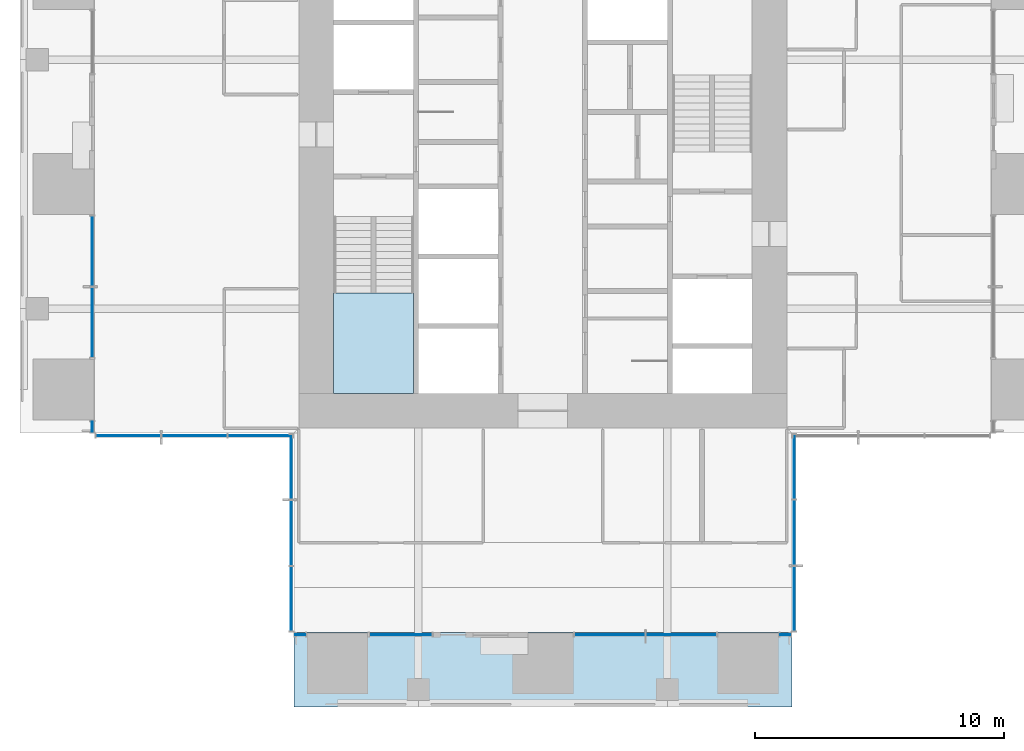
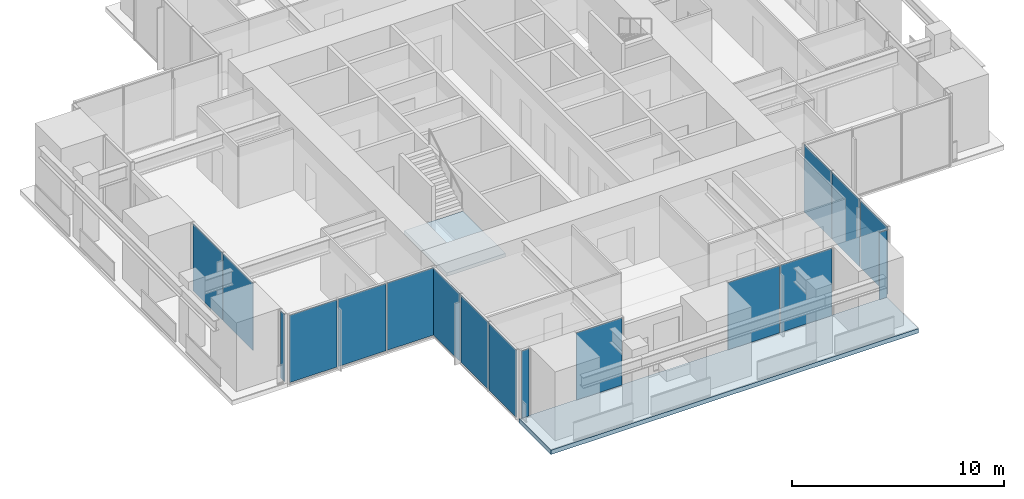
# One storey, part 7 of 17: 17 plates, 2 slabs, 10 elements without a shape of their own.
"""IFC4 building model written with IfcOpenShell, lengths in metres."""

import ifcopenshell
import ifcopenshell.guid

model = None  # the IFC model being written
_history = None  # IfcOwnerHistory: only IFC2X3 demands one
_inside = {}  # id of a spatial element -> (the spatial element, [elements in it])
_under = {}  # id of a project, library or spatial element -> (it, [spatial elements below it])
_declared = {}  # id of a project -> (the project, [libraries it declares])
_typed = {}  # id of a type object -> (the type object, [elements of that type])
_made_of = {}  # id of a material, layer set ... -> (it, [elements and type objects made of it])


def new_model(schema):
    """Start an empty IFC model of exactly this schema.

    Asked for "IFC4X3", IfcOpenShell would pick the latest addendum, in which some entities
    have other attributes; the version numbers below select the first issue.
    IFC2X3 requires an IfcOwnerHistory on every rooted entity: one is made here for all.
    """
    global model, _history
    if schema == "IFC4X3":
        model = ifcopenshell.file(schema_version=(4, 3, 0, 0))
    else:
        model = ifcopenshell.file(schema=schema)
    _inside.clear()
    _under.clear()
    _declared.clear()
    _typed.clear()
    _made_of.clear()
    _history = None
    if model.schema == "IFC2X3":
        org = make("IfcOrganization", Name="unknown")
        user = make(
            "IfcPersonAndOrganization",
            ThePerson=make("IfcPerson", FamilyName="unknown"),
            TheOrganization=org,
        )
        app = make(
            "IfcApplication",
            ApplicationDeveloper=org,
            Version="unknown",
            ApplicationFullName="unknown",
            ApplicationIdentifier="unknown",
        )
        _history = make(
            "IfcOwnerHistory",
            OwningUser=user,
            OwningApplication=app,
            ChangeAction="ADDED",
            CreationDate=0,
        )
    return model


def make(cls, **values):
    """One entity of the class cls with the attributes given. An attribute that is None is left unset."""
    return model.create_entity(
        cls, **{name: value for name, value in values.items() if value is not None}
    )


def rooted(cls, **values):
    """An entity with a GlobalId (a new one), such as an element, a storey or a relation."""
    return make(cls, GlobalId=ifcopenshell.guid.new(), OwnerHistory=_history, **values)


def si_unit(unit_type, name, prefix=None):
    """IfcSIUnit, for example si_unit("LENGTHUNIT", "METRE", prefix="MILLI")."""
    return make("IfcSIUnit", UnitType=unit_type, Prefix=prefix, Name=name)


def assignment(units):
    """IfcUnitAssignment: the units of a project."""
    return None if units is None else make("IfcUnitAssignment", Units=units)


def point(xyz):
    """IfcCartesianPoint."""
    return None if xyz is None else make("IfcCartesianPoint", Coordinates=xyz)


def direction(xyz):
    """IfcDirection."""
    return None if xyz is None else make("IfcDirection", DirectionRatios=xyz)


def frame(location, z_axis=None, x_axis=None):
    """IfcAxis2Placement3D, a coordinate frame: its origin and axes. An axis left out is left unset."""
    return make(
        "IfcAxis2Placement3D",
        Location=point(location),
        Axis=direction(z_axis),
        RefDirection=direction(x_axis),
    )


def frame_2d(location, x_axis=None):
    """IfcAxis2Placement2D, a coordinate frame in the plane: its origin and x axis."""
    return make(
        "IfcAxis2Placement2D", Location=point(location), RefDirection=direction(x_axis)
    )


def origin():
    """The frame at (0, 0, 0) with its axes left unset."""
    return frame((0.0, 0.0, 0.0))


def origin_2d():
    """The frame at (0, 0) in the plane with its x axis left unset."""
    return frame_2d((0.0, 0.0))


def place(relative_to, where):
    """IfcLocalPlacement: puts the frame where relative to a parent placement (None: the world)."""
    return make(
        "IfcLocalPlacement", PlacementRelTo=relative_to, RelativePlacement=where
    )


def context(
    kind, dimensions, precision=None, world=None, true_north=None, identifier=None
):
    """IfcGeometricRepresentationContext, for example the 3D "Model" context."""
    return make(
        "IfcGeometricRepresentationContext",
        ContextIdentifier=identifier,
        ContextType=kind,
        CoordinateSpaceDimension=dimensions,
        Precision=precision,
        WorldCoordinateSystem=world,
        TrueNorth=true_north,
    )


def subcontext(parent, identifier, kind, view, scale=None):
    """IfcGeometricRepresentationSubContext, for example "Body" below "Model"."""
    return make(
        "IfcGeometricRepresentationSubContext",
        ContextIdentifier=identifier,
        ContextType=kind,
        ParentContext=parent,
        TargetScale=scale,
        TargetView=view,
    )


def project(units=None, contexts=None):
    """IfcProject with its units and contexts."""
    return rooted(
        "IfcProject",
        Name="project",
        RepresentationContexts=contexts,
        UnitsInContext=assignment(units),
    )


def spatial(cls, under=None, at=None, **own):
    """A site, building, storey or space (cls), placed at a placement, below another one or the project."""
    s = rooted(cls, ObjectPlacement=at, **own)
    if under is not None:
        _under.setdefault(under.id(), (under, []))[1].append(s)
    return s


def polyline(points):
    """IfcPolyline through the points."""
    return make("IfcPolyline", Points=[point(p) for p in points])


def profile(cls, at=None, kind="AREA", **sizes):
    """A parametric profile (cls). Its sizes go by their IFC names, for example OverallWidth=200.0."""
    return make(cls, ProfileType=kind, Position=at, **sizes)


def rectangle(**sizes):
    """IfcRectangleProfileDef."""
    return profile("IfcRectangleProfileDef", **sizes)


def outline(outer, holes=None, kind="AREA"):
    """IfcArbitraryClosedProfileDef: a profile drawn as a closed curve; with holes, ...WithVoids."""
    if holes is None:
        return make("IfcArbitraryClosedProfileDef", ProfileType=kind, OuterCurve=outer)
    return make(
        "IfcArbitraryProfileDefWithVoids",
        ProfileType=kind,
        OuterCurve=outer,
        InnerCurves=holes,
    )


def extrude(swept, where, along, depth):
    """IfcExtrudedAreaSolid: the profile swept, set in the frame where, extruded along a direction by depth."""
    return make(
        "IfcExtrudedAreaSolid",
        SweptArea=swept,
        Position=where,
        ExtrudedDirection=direction(along),
        Depth=depth,
    )


def shape(context_of_items, identifier, shape_type, items):
    """IfcShapeRepresentation: the items that make up one representation, for example the "Body"."""
    return make(
        "IfcShapeRepresentation",
        ContextOfItems=context_of_items,
        RepresentationIdentifier=identifier,
        RepresentationType=shape_type,
        Items=items,
    )


def material(Name=None, Category=None):
    """IfcMaterial."""
    return make("IfcMaterial", Name=Name, Category=Category)


def layer(
    of_material, thickness, ventilated=None, Name=None, Category=None, Priority=None
):
    """IfcMaterialLayer: one layer of a wall or slab, of a material (None: an air gap)."""
    return make(
        "IfcMaterialLayer",
        Material=of_material,
        LayerThickness=thickness,
        IsVentilated=ventilated,
        Name=Name,
        Category=Category,
        Priority=Priority,
    )


def layer_set(layers, Name=None):
    """IfcMaterialLayerSet."""
    return make("IfcMaterialLayerSet", MaterialLayers=layers, LayerSetName=Name)


def made_of(thing, what):
    """Note that an element or type object is made of a material, layer set ...; save() writes the relation."""
    if what is not None:
        _made_of.setdefault(what.id(), (what, []))[1].append(thing)
    return thing


def type_object(cls, material=None, **own):
    """A type object (cls), such as IfcWallType, which elements share."""
    return made_of(rooted(cls, **own), material)


def element(
    cls,
    number,
    at=None,
    inside=None,
    cuts=None,
    type_object=None,
    material=None,
    context=None,
    identifier="Body",
    shape_type=None,
    held_by="IfcProductDefinitionShape",
    body=None,
    shapes=None,
    **own,
):
    """One element of the class cls, such as IfcWall. Its Tag is "e" and its number.

    at: its placement. inside: the storey or other place that contains it. cuts: it is an
    opening in that element (IfcRelVoidsElement). A single representation is given by context,
    identifier, shape_type and body (its items); several are given by shapes. held_by: the class
    of the entity that holds the representations. save() writes the other relations.
    """
    e = rooted(cls, Tag="e%d" % number, ObjectPlacement=at, **own)
    if body is not None:
        shapes = [shape(context, identifier, shape_type, body)]
    if shapes is not None:
        e.Representation = make(held_by, Representations=shapes)
    if inside is not None:
        _inside.setdefault(inside.id(), (inside, []))[1].append(e)
    if cuts is not None:
        rooted(
            "IfcRelVoidsElement", RelatingBuildingElement=cuts, RelatedOpeningElement=e
        )
    if type_object is not None:
        _typed.setdefault(type_object.id(), (type_object, []))[1].append(e)
    return made_of(e, material)


def aggregate(whole, parts):
    """IfcRelAggregates: a whole, such as a stair, and the parts it consists of."""
    return rooted("IfcRelAggregates", RelatingObject=whole, RelatedObjects=parts)


def save(model, path):
    """Write the relations noted so far, then the file.

    IfcRelAggregates (storeys below a building ...), IfcRelContainedInSpatialStructure (elements
    in a storey), IfcRelDefinesByType, IfcRelAssociatesMaterial and IfcRelDeclares: one each for
    every whole, place, type object, material and project.
    """
    for whole, parts in _under.values():
        aggregate(whole, parts)
    for where, things in _inside.values():
        rooted(
            "IfcRelContainedInSpatialStructure",
            RelatedElements=things,
            RelatingStructure=where,
        )
    for kind, things in _typed.values():
        rooted("IfcRelDefinesByType", RelatedObjects=things, RelatingType=kind)
    for what, things in _made_of.values():
        rooted("IfcRelAssociatesMaterial", RelatedObjects=things, RelatingMaterial=what)
    for by, libraries in _declared.values():
        rooted("IfcRelDeclares", RelatingContext=by, RelatedDefinitions=libraries)
    model.write(path)


model = new_model("IFC4")

# Units and contexts
model_context = context("Model", 3, precision=1e-05, world=origin(), true_north=direction((0.0, 1.0)))
body_context = subcontext(model_context, "Body", "Model", "MODEL_VIEW")
ifc_project = project(units=[si_unit("LENGTHUNIT", "METRE"), si_unit("AREAUNIT", "SQUARE_METRE"), si_unit("VOLUMEUNIT", "CUBIC_METRE"), si_unit("PLANEANGLEUNIT", "RADIAN"), si_unit("MASSUNIT", "GRAM", prefix="KILO")], contexts=[model_context])

# Site, building, storey
site_placement = place(None, origin())
site = spatial("IfcSite", under=ifc_project, at=site_placement, CompositionType="ELEMENT")
building_placement = place(site_placement, origin())
building = spatial("IfcBuilding", under=site, at=building_placement, Name="Svetlomir Tower", CompositionType="ELEMENT")
storey_placement = place(building_placement, frame((0.0, 0.0, 230.5)))
storey = spatial("IfcBuildingStorey", under=building, at=storey_placement, Name="L55", CompositionType="ELEMENT", Elevation=230.5)

# Curtain wall, plate
ifc_material_1 = material(Name="Bronze anodised aluminium curtain wall", Category="aluminium")
curtain_wall_type = type_object("IfcCurtainWallType", Name="CURTAIN WALL CW1 TOWER OFFICE", PredefinedType="NOTDEFINED", material=ifc_material_1)
curtain_wall_1_placement = place(storey_placement, origin())
curtain_wall_1 = element("IfcCurtainWall", 1, at=curtain_wall_1_placement, inside=storey, type_object=curtain_wall_type, Name="Curtain wall CW1 L55", PredefinedType="NOTDEFINED")
ifc_material_2 = material(Name="Tinted double glazed unit", Category="glass")
ifc_layer_1 = layer(ifc_material_2, 0.031982421875)
ifc_layer_set_1 = layer_set([ifc_layer_1], Name="Tinted double glazed unit")
plate_type = type_object("IfcPlateType", Name="CW1 GLAZED PANEL 32", PredefinedType="CURTAIN_PANEL", material=ifc_layer_set_1)
plate_1_placement = place(storey_placement, frame((11.262451171875, 2.89990234375, 0.06494140625), z_axis=(0.0, 0.0, 1.0), x_axis=(1.0, 0.0, 0.0)))
plate_1 = element("IfcPlate", 2, at=plate_1_placement, type_object=plate_type, Name="CW1 panel 1.1", PredefinedType="CURTAIN_PANEL", context=body_context, shape_type="SweptSolid", body=[
    extrude(rectangle(XDim=0.39501953125, YDim=0.031982421875, at=origin_2d()), origin(), (0.0, 0.0, 1.0), 3.8701171875),
])
aggregate(curtain_wall_1, [plate_1])

curtain_wall_2_placement = place(storey_placement, origin())
curtain_wall_2 = element("IfcCurtainWall", 3, at=curtain_wall_2_placement, inside=storey, type_object=curtain_wall_type, Name="Curtain wall CW1 L55", PredefinedType="NOTDEFINED")
plate_2_placement = place(storey_placement, frame((15.28759765625, 2.89990234375, 0.06494140625), z_axis=(0.0, 0.0, 1.0), x_axis=(1.0, 0.0, 0.0)))
plate_2 = element("IfcPlate", 4, at=plate_2_placement, type_object=plate_type, Name="CW1 panel 1.1", PredefinedType="CURTAIN_PANEL", context=body_context, shape_type="SweptSolid", body=[
    extrude(rectangle(XDim=2.4951171875, YDim=0.031982421875, at=origin_2d()), origin(), (0.0, 0.0, 1.0), 3.8701171875),
])
aggregate(curtain_wall_2, [plate_2])

# Curtain wall, plates
curtain_wall_3_placement = place(storey_placement, origin())
curtain_wall_3 = element("IfcCurtainWall", 5, at=curtain_wall_3_placement, inside=storey, type_object=curtain_wall_type, Name="Curtain wall CW1 L55", PredefinedType="NOTDEFINED")
plate_3_placement = place(storey_placement, frame((23.691162109375, 2.89990234375, 0.06494140625), z_axis=(0.0, 0.0, 1.0), x_axis=(1.0, 0.0, 0.0)))
plate_3 = element("IfcPlate", 6, at=plate_3_placement, type_object=plate_type, Name="CW1 panel 1.1", PredefinedType="CURTAIN_PANEL", context=body_context, shape_type="SweptSolid", body=[
    extrude(rectangle(XDim=2.802490234375, YDim=0.031982421875, at=origin_2d()), origin(), (0.0, 0.0, 1.0), 3.8701171875),
])
plate_4_placement = place(storey_placement, frame((26.558837890625, 2.89990234375, 0.06494140625), z_axis=(0.0, 0.0, 1.0), x_axis=(1.0, 0.0, 0.0)))
plate_4 = element("IfcPlate", 7, at=plate_4_placement, type_object=plate_type, Name="CW1 panel 2.1", PredefinedType="CURTAIN_PANEL", context=body_context, shape_type="SweptSolid", body=[
    extrude(rectangle(XDim=2.802490234375, YDim=0.031982421875, at=origin_2d()), origin(), (0.0, 0.0, 1.0), 3.8701171875),
])
aggregate(curtain_wall_3, [plate_3, plate_4])

# Curtain wall, plate
curtain_wall_4_placement = place(storey_placement, origin())
curtain_wall_4 = element("IfcCurtainWall", 8, at=curtain_wall_4_placement, inside=storey, type_object=curtain_wall_type, Name="Curtain wall CW1 L55", PredefinedType="NOTDEFINED")
plate_5_placement = place(storey_placement, frame((30.737548828125, 2.89990234375, 0.06494140625), z_axis=(0.0, 0.0, 1.0), x_axis=(1.0, 0.0, 0.0)))
plate_5 = element("IfcPlate", 9, at=plate_5_placement, type_object=plate_type, Name="CW1 panel 1.1", PredefinedType="CURTAIN_PANEL", context=body_context, shape_type="SweptSolid", body=[
    extrude(rectangle(XDim=0.39501953125, YDim=0.031982421875, at=origin_2d()), origin(), (0.0, 0.0, 1.0), 3.8701171875),
])
aggregate(curtain_wall_4, [plate_5])

# Curtain wall, plates
curtain_wall_5_placement = place(storey_placement, origin())
curtain_wall_5 = element("IfcCurtainWall", 10, at=curtain_wall_5_placement, inside=storey, type_object=curtain_wall_type, Name="Curtain wall CW1 L55", PredefinedType="NOTDEFINED")
plate_6_placement = place(storey_placement, frame((31.10009765625, 4.349609375, 0.06494140625), z_axis=(0.0, 0.0, 1.0), x_axis=(0.0, 1.0, 0.0)))
plate_6 = element("IfcPlate", 11, at=plate_6_placement, type_object=plate_type, Name="CW1 panel 1.1", PredefinedType="CURTAIN_PANEL", context=body_context, shape_type="SweptSolid", body=[
    extrude(rectangle(XDim=2.569091796875, YDim=0.031982421875, at=origin_2d()), origin(), (0.0, 0.0, 1.0), 3.8701171875),
])
plate_7_placement = place(storey_placement, frame((31.10009765625, 7.0, 0.06494140625), z_axis=(0.0, 0.0, 1.0), x_axis=(0.0, 1.0, 0.0)))
plate_7 = element("IfcPlate", 12, at=plate_7_placement, type_object=plate_type, Name="CW1 panel 2.1", PredefinedType="CURTAIN_PANEL", context=body_context, shape_type="SweptSolid", body=[
    extrude(rectangle(XDim=2.6015625, YDim=0.031982421875, at=origin_2d()), origin(), (0.0, 0.0, 1.0), 3.8701171875),
])
plate_8_placement = place(storey_placement, frame((31.10009765625, 9.650390625, 0.06494140625), z_axis=(0.0, 0.0, 1.0), x_axis=(0.0, 1.0, 0.0)))
plate_8 = element("IfcPlate", 13, at=plate_8_placement, type_object=plate_type, Name="CW1 panel 3.1", PredefinedType="CURTAIN_PANEL", context=body_context, shape_type="SweptSolid", body=[
    extrude(rectangle(XDim=2.569091796875, YDim=0.031982421875, at=origin_2d()), origin(), (0.0, 0.0, 1.0), 3.8701171875),
])
aggregate(curtain_wall_5, [plate_6, plate_7, plate_8])

curtain_wall_6_placement = place(storey_placement, origin())
curtain_wall_6 = element("IfcCurtainWall", 14, at=curtain_wall_6_placement, inside=storey, type_object=curtain_wall_type, Name="Curtain wall CW1 L55", PredefinedType="NOTDEFINED")
plate_9_placement = place(storey_placement, frame((2.89990234375, 18.308837890625, 0.06494140625), z_axis=(0.0, 0.0, 1.0), x_axis=(0.0, -1.0, 0.0)))
plate_9 = element("IfcPlate", 15, at=plate_9_placement, type_object=plate_type, Name="CW1 panel 1.1", PredefinedType="CURTAIN_PANEL", context=body_context, shape_type="SweptSolid", body=[
    extrude(rectangle(XDim=2.802490234375, YDim=0.031982421875, at=origin_2d()), origin(), (0.0, 0.0, 1.0), 3.8701171875),
])
plate_10_placement = place(storey_placement, frame((2.89990234375, 15.441162109375, 0.06494140625), z_axis=(0.0, 0.0, 1.0), x_axis=(0.0, -1.0, 0.0)))
plate_10 = element("IfcPlate", 16, at=plate_10_placement, type_object=plate_type, Name="CW1 panel 2.1", PredefinedType="CURTAIN_PANEL", context=body_context, shape_type="SweptSolid", body=[
    extrude(rectangle(XDim=2.802490234375, YDim=0.031982421875, at=origin_2d()), origin(), (0.0, 0.0, 1.0), 3.8701171875),
])
aggregate(curtain_wall_6, [plate_9, plate_10])

# Curtain wall, plate
curtain_wall_7_placement = place(storey_placement, origin())
curtain_wall_7 = element("IfcCurtainWall", 17, at=curtain_wall_7_placement, inside=storey, type_object=curtain_wall_type, Name="Curtain wall CW1 L55", PredefinedType="NOTDEFINED")
plate_11_placement = place(storey_placement, frame((2.89990234375, 11.262451171875, 0.06494140625), z_axis=(0.0, 0.0, 1.0), x_axis=(0.0, -1.0, 0.0)))
plate_11 = element("IfcPlate", 18, at=plate_11_placement, type_object=plate_type, Name="CW1 panel 1.1", PredefinedType="CURTAIN_PANEL", context=body_context, shape_type="SweptSolid", body=[
    extrude(rectangle(XDim=0.39501953125, YDim=0.031982421875, at=origin_2d()), origin(), (0.0, 0.0, 1.0), 3.8701171875),
])
aggregate(curtain_wall_7, [plate_11])

# Curtain wall, plates
curtain_wall_8_placement = place(storey_placement, origin())
curtain_wall_8 = element("IfcCurtainWall", 19, at=curtain_wall_8_placement, inside=storey, type_object=curtain_wall_type, Name="Curtain wall CW1 L55", PredefinedType="NOTDEFINED")
plate_12_placement = place(storey_placement, frame((4.349609375, 10.89990234375, 0.06494140625), z_axis=(0.0, 0.0, 1.0), x_axis=(1.0, 0.0, 0.0)))
plate_12 = element("IfcPlate", 20, at=plate_12_placement, type_object=plate_type, Name="CW1 panel 1.1", PredefinedType="CURTAIN_PANEL", context=body_context, shape_type="SweptSolid", body=[
    extrude(rectangle(XDim=2.569091796875, YDim=0.031982421875, at=origin_2d()), origin(), (0.0, 0.0, 1.0), 3.8701171875),
])
plate_13_placement = place(storey_placement, frame((7.0, 10.89990234375, 0.06494140625), z_axis=(0.0, 0.0, 1.0), x_axis=(1.0, 0.0, 0.0)))
plate_13 = element("IfcPlate", 21, at=plate_13_placement, type_object=plate_type, Name="CW1 panel 2.1", PredefinedType="CURTAIN_PANEL", context=body_context, shape_type="SweptSolid", body=[
    extrude(rectangle(XDim=2.6015625, YDim=0.031982421875, at=origin_2d()), origin(), (0.0, 0.0, 1.0), 3.8701171875),
])
plate_14_placement = place(storey_placement, frame((9.650390625, 10.89990234375, 0.06494140625), z_axis=(0.0, 0.0, 1.0), x_axis=(1.0, 0.0, 0.0)))
plate_14 = element("IfcPlate", 22, at=plate_14_placement, type_object=plate_type, Name="CW1 panel 3.1", PredefinedType="CURTAIN_PANEL", context=body_context, shape_type="SweptSolid", body=[
    extrude(rectangle(XDim=2.569091796875, YDim=0.031982421875, at=origin_2d()), origin(), (0.0, 0.0, 1.0), 3.8701171875),
])
aggregate(curtain_wall_8, [plate_12, plate_13, plate_14])

curtain_wall_9_placement = place(storey_placement, origin())
curtain_wall_9 = element("IfcCurtainWall", 23, at=curtain_wall_9_placement, inside=storey, type_object=curtain_wall_type, Name="Curtain wall CW1 L55", PredefinedType="NOTDEFINED")
plate_15_placement = place(storey_placement, frame((10.89990234375, 9.650390625, 0.06494140625), z_axis=(0.0, 0.0, 1.0), x_axis=(0.0, -1.0, 0.0)))
plate_15 = element("IfcPlate", 24, at=plate_15_placement, type_object=plate_type, Name="CW1 panel 1.1", PredefinedType="CURTAIN_PANEL", context=body_context, shape_type="SweptSolid", body=[
    extrude(rectangle(XDim=2.569091796875, YDim=0.031982421875, at=origin_2d()), origin(), (0.0, 0.0, 1.0), 3.8701171875),
])
plate_16_placement = place(storey_placement, frame((10.89990234375, 7.0, 0.06494140625), z_axis=(0.0, 0.0, 1.0), x_axis=(0.0, -1.0, 0.0)))
plate_16 = element("IfcPlate", 25, at=plate_16_placement, type_object=plate_type, Name="CW1 panel 2.1", PredefinedType="CURTAIN_PANEL", context=body_context, shape_type="SweptSolid", body=[
    extrude(rectangle(XDim=2.6015625, YDim=0.031982421875, at=origin_2d()), origin(), (0.0, 0.0, 1.0), 3.8701171875),
])
plate_17_placement = place(storey_placement, frame((10.89990234375, 4.349609375, 0.06494140625), z_axis=(0.0, 0.0, 1.0), x_axis=(0.0, -1.0, 0.0)))
plate_17 = element("IfcPlate", 26, at=plate_17_placement, type_object=plate_type, Name="CW1 panel 3.1", PredefinedType="CURTAIN_PANEL", context=body_context, shape_type="SweptSolid", body=[
    extrude(rectangle(XDim=2.569091796875, YDim=0.031982421875, at=origin_2d()), origin(), (0.0, 0.0, 1.0), 3.8701171875),
])
aggregate(curtain_wall_9, [plate_15, plate_16, plate_17])

# Slab
ifc_material_3 = material(Name="Concrete C60/75", Category="concrete")
ifc_layer_2 = layer(ifc_material_3, 0.25)
ifc_layer_set_2 = layer_set([ifc_layer_2], Name="Concrete C60/75")
slab_type_1 = type_object("IfcSlabType", Name="PLANTED LOGGIA SLAB 250", PredefinedType="FLOOR", material=ifc_layer_set_2)
slab_1_placement = place(storey_placement, frame((0.0, 0.0, -0.25)))
element("IfcSlab", 27, at=slab_1_placement, inside=storey, type_object=slab_type_1, Name="L55 S planted loggia", PredefinedType="FLOOR", context=body_context, shape_type="SweptSolid", body=[
    extrude(outline(polyline([(11.0, 0.0), (31.0, 0.0), (31.0, 3.0), (11.0, 3.0), (11.0, 0.0)])), origin(), (0.0, 0.0, 1.0), 0.25),
])

# Stair, slab
ifc_material_4 = material(Name="Concrete C60/75", Category="concrete")
stair_type = type_object("IfcStairType", Name="EXIT STAIR 3200 RISE 4000", PredefinedType="HALF_TURN_STAIR", material=ifc_material_4)
stair_placement = place(storey_placement, origin())
stair = element("IfcStair", 28, at=stair_placement, inside=storey, type_object=stair_type, Name="Stair S1 L55 to L56", PredefinedType="HALF_TURN_STAIR")
ifc_material_5 = material(Name="Concrete C60/75", Category="concrete")
ifc_layer_3 = layer(ifc_material_5, 0.199951171875)
ifc_layer_set_3 = layer_set([ifc_layer_3], Name="Concrete C60/75")
slab_type_2 = type_object("IfcSlabType", Name="STAIR LANDING 200", PredefinedType="LANDING", material=ifc_layer_set_3)
slab_2_placement = place(storey_placement, frame((0.0, 0.0, 1.800048828125)))
slab_2 = element("IfcSlab", 29, at=slab_2_placement, type_object=slab_type_2, Name="S1 landing 1", PredefinedType="LANDING", context=body_context, shape_type="SweptSolid", body=[
    extrude(outline(polyline([(12.60009765625, 12.60009765625), (15.800048828125, 12.60009765625), (15.800048828125, 16.6201171875), (12.60009765625, 16.6201171875), (12.60009765625, 12.60009765625)])), origin(), (0.0, 0.0, 1.0), 0.199951171875),
])
aggregate(stair, [slab_2])

save(model, "model.ifc")
